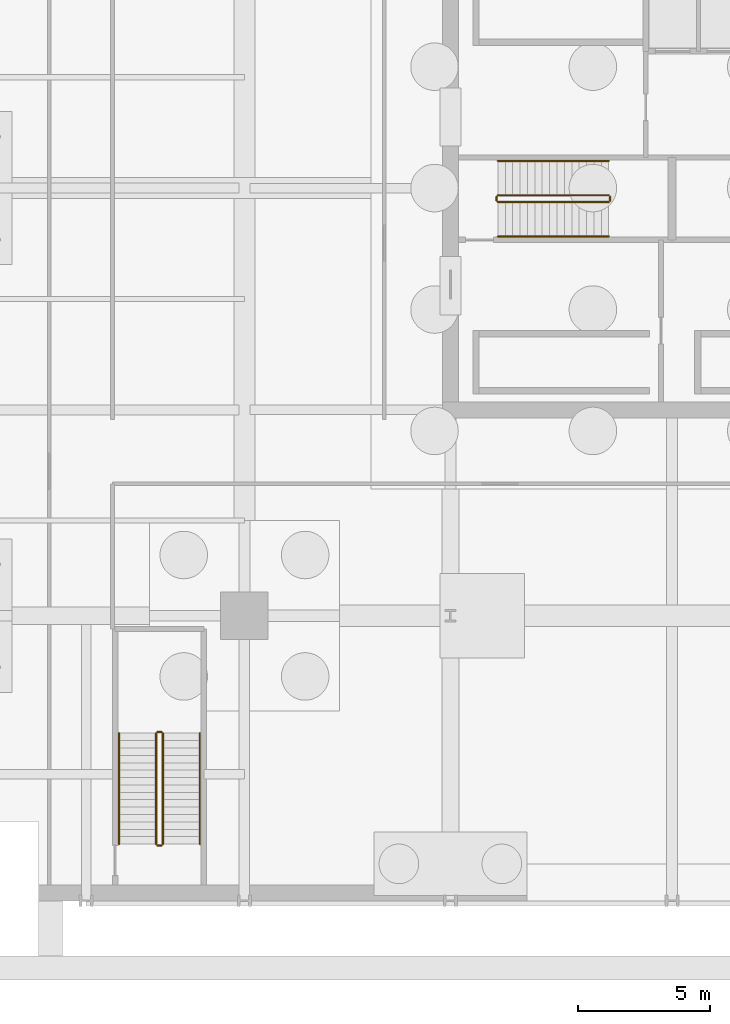
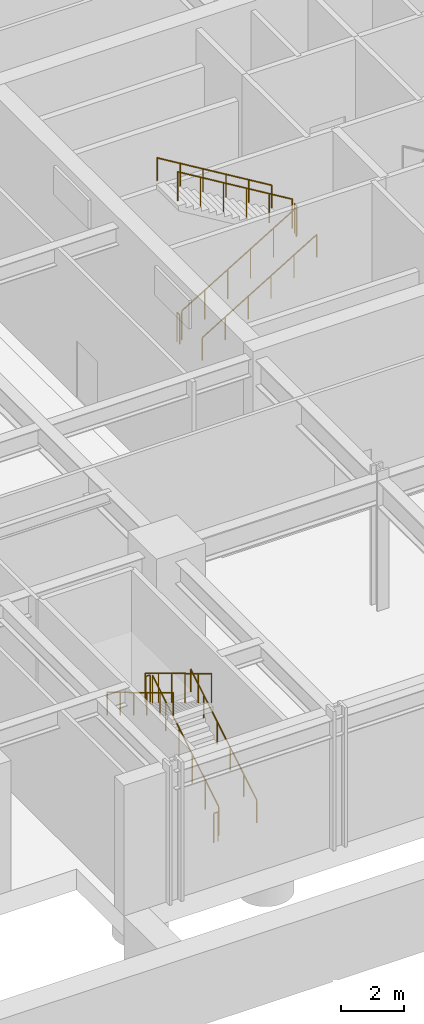
# One storey, part 6 of 9: 12 railings.
"""IFC4 building model written with IfcOpenShell, lengths in metres."""

from ifc_helpers import new_model, si_unit, direction, frame, origin, origin_2d, place, context, subcontext, project, spatial, circle, extrude, material, type_object, element, save


model = new_model("IFC4")

# Units and contexts
model_context = context("Model", 3, precision=1e-05, world=origin(), true_north=direction((0.0, 1.0)))
body_context = subcontext(model_context, "Body", "Model", "MODEL_VIEW")
ifc_project = project(units=[si_unit("LENGTHUNIT", "METRE"), si_unit("AREAUNIT", "SQUARE_METRE"), si_unit("VOLUMEUNIT", "CUBIC_METRE"), si_unit("PLANEANGLEUNIT", "RADIAN"), si_unit("MASSUNIT", "GRAM", prefix="KILO")], contexts=[model_context])

# Site, building, storey
site_placement = place(None, origin())
site = spatial("IfcSite", under=ifc_project, at=site_placement, CompositionType="ELEMENT")
building_placement = place(site_placement, origin())
building = spatial("IfcBuilding", under=site, at=building_placement, Name="Drelvath Grand Hotel", CompositionType="ELEMENT")
storey_placement = place(building_placement, frame((0.0, 0.0, -10.800048828125)))
storey = spatial("IfcBuildingStorey", under=building, at=storey_placement, Name="B2", CompositionType="ELEMENT", Elevation=-10.800048828125)

# Railings
ifc_material = material(Name="Painted Steel S275", Category="steel")
railing_type_1 = type_object("IfcRailingType", Name="Core Stair Wall Handrail 900", PredefinedType="HANDRAIL", material=ifc_material)
railing_1_placement = place(storey_placement, frame((-6.60009765625, 25.169921875, 0.168701171875)))
element("IfcRailing", 1, at=railing_1_placement, inside=storey, type_object=railing_type_1, Name="B2 ST-1 stair handrail 1", PredefinedType="HANDRAIL", context=body_context, shape_type="SweptSolid", body=[
    extrude(circle(Radius=0.02392578125, at=origin_2d()), frame((0.0, 0.0, 0.8759765625), z_axis=(0.856489757249, 0.0, 0.516164020179), x_axis=(0.0, 1.0, 0.0)), (0.0, 0.0, 1.0), 4.904052734375),
    extrude(circle(Radius=0.02099609375, at=origin_2d()), origin(), (0.0, 0.0, 1.0), 0.851806640625),
    extrude(circle(Radius=0.02099609375, at=origin_2d()), frame((0.840087890625, 0.0, 0.50634765625)), (0.0, 0.0, 1.0), 0.851806640625),
    extrude(circle(Radius=0.02099609375, at=origin_2d()), frame((1.68017578125, 0.0, 1.012451171875)), (0.0, 0.0, 1.0), 0.851806640625),
    extrude(circle(Radius=0.02099609375, at=origin_2d()), frame((2.52001953125, 0.0, 1.518798828125)), (0.0, 0.0, 1.0), 0.851806640625),
    extrude(circle(Radius=0.02099609375, at=origin_2d()), frame((3.360107421875, 0.0, 2.02490234375)), (0.0, 0.0, 1.0), 0.851806640625),
    extrude(circle(Radius=0.02099609375, at=origin_2d()), frame((4.2001953125, 0.0, 2.53125)), (0.0, 0.0, 1.0), 0.851806640625),
])
railing_2_placement = place(storey_placement, frame((-2.39990234375, 28.030029296875, 2.868896484375)))
element("IfcRailing", 2, at=railing_2_placement, inside=storey, type_object=railing_type_1, Name="B2 ST-1 stair handrail 2", PredefinedType="HANDRAIL", context=body_context, shape_type="SweptSolid", body=[
    extrude(circle(Radius=0.02392578125, at=origin_2d()), frame((0.0, 0.0, 0.8759765625), z_axis=(-0.856489757249, 0.0, 0.516164020179), x_axis=(0.0, -1.0, 0.0)), (0.0, 0.0, 1.0), 4.904052734375),
    extrude(circle(Radius=0.02099609375, at=origin_2d()), origin(), (0.0, 0.0, 1.0), 0.851806640625),
    extrude(circle(Radius=0.02099609375, at=origin_2d()), frame((-0.840087890625, 0.0, 0.50634765625)), (0.0, 0.0, 1.0), 0.851806640625),
    extrude(circle(Radius=0.02099609375, at=origin_2d()), frame((-1.68017578125, 0.0, 1.012451171875)), (0.0, 0.0, 1.0), 0.851806640625),
    extrude(circle(Radius=0.02099609375, at=origin_2d()), frame((-2.52001953125, 0.0, 1.518798828125)), (0.0, 0.0, 1.0), 0.851806640625),
    extrude(circle(Radius=0.02099609375, at=origin_2d()), frame((-3.360107421875, 0.0, 2.02490234375)), (0.0, 0.0, 1.0), 0.851806640625),
    extrude(circle(Radius=0.02099609375, at=origin_2d()), frame((-4.2001953125, 0.0, 2.53125)), (0.0, 0.0, 1.0), 0.851806640625),
])
railing_3_placement = place(storey_placement, frame((-17.889892578125, 2.14990234375, 0.168701171875)))
element("IfcRailing", 3, at=railing_3_placement, inside=storey, type_object=railing_type_1, Name="B2 ST-3 stair handrail 1", PredefinedType="HANDRAIL", context=body_context, shape_type="SweptSolid", body=[
    extrude(circle(Radius=0.02392578125, at=origin_2d()), frame((0.0, 0.0, 0.8759765625), z_axis=(0.0, 0.856489757249, 0.516164020179), x_axis=(-1.0, 0.0, 0.0)), (0.0, 0.0, 1.0), 4.904052734375),
    extrude(circle(Radius=0.02099609375, at=origin_2d()), origin(), (0.0, 0.0, 1.0), 0.851806640625),
    extrude(circle(Radius=0.02099609375, at=origin_2d()), frame((0.0, 0.840087890625, 0.50634765625)), (0.0, 0.0, 1.0), 0.851806640625),
    extrude(circle(Radius=0.02099609375, at=origin_2d()), frame((0.0, 1.68017578125, 1.012451171875)), (0.0, 0.0, 1.0), 0.851806640625),
    extrude(circle(Radius=0.02099609375, at=origin_2d()), frame((0.0, 2.52001953125, 1.518798828125)), (0.0, 0.0, 1.0), 0.851806640625),
    extrude(circle(Radius=0.02099609375, at=origin_2d()), frame((0.0, 3.360107421875, 2.02490234375)), (0.0, 0.0, 1.0), 0.851806640625),
    extrude(circle(Radius=0.02099609375, at=origin_2d()), frame((0.0, 4.2001953125, 2.53125)), (0.0, 0.0, 1.0), 0.851806640625),
])
railing_4_placement = place(storey_placement, frame((-20.949951171875, 6.35009765625, 2.868896484375)))
element("IfcRailing", 4, at=railing_4_placement, inside=storey, type_object=railing_type_1, Name="B2 ST-3 stair handrail 2", PredefinedType="HANDRAIL", context=body_context, shape_type="SweptSolid", body=[
    extrude(circle(Radius=0.02392578125, at=origin_2d()), frame((0.0, 0.0, 0.8759765625), z_axis=(0.0, -0.856489757249, 0.516164020179), x_axis=(1.0, 0.0, 0.0)), (0.0, 0.0, 1.0), 4.904052734375),
    extrude(circle(Radius=0.02099609375, at=origin_2d()), origin(), (0.0, 0.0, 1.0), 0.851806640625),
    extrude(circle(Radius=0.02099609375, at=origin_2d()), frame((0.0, -0.840087890625, 0.50634765625)), (0.0, 0.0, 1.0), 0.851806640625),
    extrude(circle(Radius=0.02099609375, at=origin_2d()), frame((0.0, -1.68017578125, 1.012451171875)), (0.0, 0.0, 1.0), 0.851806640625),
    extrude(circle(Radius=0.02099609375, at=origin_2d()), frame((0.0, -2.52001953125, 1.518798828125)), (0.0, 0.0, 1.0), 0.851806640625),
    extrude(circle(Radius=0.02099609375, at=origin_2d()), frame((0.0, -3.360107421875, 2.02490234375)), (0.0, 0.0, 1.0), 0.851806640625),
    extrude(circle(Radius=0.02099609375, at=origin_2d()), frame((0.0, -4.2001953125, 2.53125)), (0.0, 0.0, 1.0), 0.851806640625),
])
railing_type_2 = type_object("IfcRailingType", Name="Core Stair Well Guardrail 1100", PredefinedType="GUARDRAIL", material=ifc_material)
railing_5_placement = place(storey_placement, frame((-6.60009765625, 26.469970703125, 0.168701171875)))
element("IfcRailing", 5, at=railing_5_placement, inside=storey, type_object=railing_type_2, Name="B2 ST-1 stair guard 1", PredefinedType="GUARDRAIL", context=body_context, shape_type="SweptSolid", body=[
    extrude(circle(Radius=0.02392578125, at=origin_2d()), frame((0.0, 0.0, 1.1259765625), z_axis=(0.856489757249, 0.0, 0.516164020179), x_axis=(0.0, 1.0, 0.0)), (0.0, 0.0, 1.0), 4.904052734375),
    extrude(circle(Radius=0.02099609375, at=origin_2d()), origin(), (0.0, 0.0, 1.0), 1.101806640625),
    extrude(circle(Radius=0.02099609375, at=origin_2d()), frame((0.840087890625, 0.0, 0.50634765625)), (0.0, 0.0, 1.0), 1.101806640625),
    extrude(circle(Radius=0.02099609375, at=origin_2d()), frame((1.68017578125, 0.0, 1.012451171875)), (0.0, 0.0, 1.0), 1.101806640625),
    extrude(circle(Radius=0.02099609375, at=origin_2d()), frame((2.52001953125, 0.0, 1.518798828125)), (0.0, 0.0, 1.0), 1.101806640625),
    extrude(circle(Radius=0.02099609375, at=origin_2d()), frame((3.360107421875, 0.0, 2.02490234375)), (0.0, 0.0, 1.0), 1.101806640625),
    extrude(circle(Radius=0.02099609375, at=origin_2d()), frame((4.2001953125, 0.0, 2.53125)), (0.0, 0.0, 1.0), 1.101806640625),
])
railing_6_placement = place(storey_placement, frame((-2.35009765625, 26.52001953125, 2.699951171875)))
element("IfcRailing", 6, at=railing_6_placement, inside=storey, type_object=railing_type_2, Name="B2 ST-1 stair guard 2", PredefinedType="GUARDRAIL", context=body_context, shape_type="SweptSolid", body=[
    extrude(circle(Radius=0.02392578125, at=origin_2d()), frame((0.0, 0.0, 1.1259765625), z_axis=(0.0, 1.0, 0.0), x_axis=(-1.0, 0.0, 0.0)), (0.0, 0.0, 1.0), 0.159912109375),
    extrude(circle(Radius=0.02099609375, at=origin_2d()), origin(), (0.0, 0.0, 1.0), 1.101806640625),
    extrude(circle(Radius=0.02099609375, at=origin_2d()), frame((0.0, 0.159912109375, 0.0)), (0.0, 0.0, 1.0), 1.101806640625),
])
railing_7_placement = place(storey_placement, frame((-2.39990234375, 26.72998046875, 2.868896484375)))
element("IfcRailing", 7, at=railing_7_placement, inside=storey, type_object=railing_type_2, Name="B2 ST-1 stair guard 3", PredefinedType="GUARDRAIL", context=body_context, shape_type="SweptSolid", body=[
    extrude(circle(Radius=0.02392578125, at=origin_2d()), frame((0.0, 0.0, 1.1259765625), z_axis=(-0.856489757249, 0.0, 0.516164020179), x_axis=(0.0, -1.0, 0.0)), (0.0, 0.0, 1.0), 4.904052734375),
    extrude(circle(Radius=0.02099609375, at=origin_2d()), origin(), (0.0, 0.0, 1.0), 1.101806640625),
    extrude(circle(Radius=0.02099609375, at=origin_2d()), frame((-0.840087890625, 0.0, 0.50634765625)), (0.0, 0.0, 1.0), 1.101806640625),
    extrude(circle(Radius=0.02099609375, at=origin_2d()), frame((-1.68017578125, 0.0, 1.012451171875)), (0.0, 0.0, 1.0), 1.101806640625),
    extrude(circle(Radius=0.02099609375, at=origin_2d()), frame((-2.52001953125, 0.0, 1.518798828125)), (0.0, 0.0, 1.0), 1.101806640625),
    extrude(circle(Radius=0.02099609375, at=origin_2d()), frame((-3.360107421875, 0.0, 2.02490234375)), (0.0, 0.0, 1.0), 1.101806640625),
    extrude(circle(Radius=0.02099609375, at=origin_2d()), frame((-4.2001953125, 0.0, 2.53125)), (0.0, 0.0, 1.0), 1.101806640625),
])
railing_8_placement = place(storey_placement, frame((-6.64990234375, 26.52001953125, 0.0)))
element("IfcRailing", 8, at=railing_8_placement, inside=storey, type_object=railing_type_2, Name="B2 ST-1 stair guard 4", PredefinedType="GUARDRAIL", context=body_context, shape_type="SweptSolid", body=[
    extrude(circle(Radius=0.02392578125, at=origin_2d()), frame((0.0, 0.0, 1.1259765625), z_axis=(0.0, 1.0, 0.0), x_axis=(-1.0, 0.0, 0.0)), (0.0, 0.0, 1.0), 0.159912109375),
    extrude(circle(Radius=0.02099609375, at=origin_2d()), origin(), (0.0, 0.0, 1.0), 1.101806640625),
    extrude(circle(Radius=0.02099609375, at=origin_2d()), frame((0.0, 0.159912109375, 0.0)), (0.0, 0.0, 1.0), 1.101806640625),
])
railing_9_placement = place(storey_placement, frame((-19.2900390625, 2.14990234375, 0.168701171875)))
element("IfcRailing", 9, at=railing_9_placement, inside=storey, type_object=railing_type_2, Name="B2 ST-3 stair guard 1", PredefinedType="GUARDRAIL", context=body_context, shape_type="SweptSolid", body=[
    extrude(circle(Radius=0.02392578125, at=origin_2d()), frame((0.0, 0.0, 1.1259765625), z_axis=(0.0, 0.856489757249, 0.516164020179), x_axis=(-1.0, 0.0, 0.0)), (0.0, 0.0, 1.0), 4.904052734375),
    extrude(circle(Radius=0.02099609375, at=origin_2d()), origin(), (0.0, 0.0, 1.0), 1.101806640625),
    extrude(circle(Radius=0.02099609375, at=origin_2d()), frame((0.0, 0.840087890625, 0.50634765625)), (0.0, 0.0, 1.0), 1.101806640625),
    extrude(circle(Radius=0.02099609375, at=origin_2d()), frame((0.0, 1.68017578125, 1.012451171875)), (0.0, 0.0, 1.0), 1.101806640625),
    extrude(circle(Radius=0.02099609375, at=origin_2d()), frame((0.0, 2.52001953125, 1.518798828125)), (0.0, 0.0, 1.0), 1.101806640625),
    extrude(circle(Radius=0.02099609375, at=origin_2d()), frame((0.0, 3.360107421875, 2.02490234375)), (0.0, 0.0, 1.0), 1.101806640625),
    extrude(circle(Radius=0.02099609375, at=origin_2d()), frame((0.0, 4.2001953125, 2.53125)), (0.0, 0.0, 1.0), 1.101806640625),
])
railing_10_placement = place(storey_placement, frame((-19.340087890625, 6.39990234375, 2.699951171875)))
element("IfcRailing", 10, at=railing_10_placement, inside=storey, type_object=railing_type_2, Name="B2 ST-3 stair guard 2", PredefinedType="GUARDRAIL", context=body_context, shape_type="SweptSolid", body=[
    extrude(circle(Radius=0.02392578125, at=origin_2d()), frame((0.0, 0.0, 1.1259765625), z_axis=(-1.0, 0.0, 0.0), x_axis=(0.0, -1.0, 0.0)), (0.0, 0.0, 1.0), 0.159912109375),
    extrude(circle(Radius=0.02099609375, at=origin_2d()), origin(), (0.0, 0.0, 1.0), 1.101806640625),
    extrude(circle(Radius=0.02099609375, at=origin_2d()), frame((-0.159912109375, 0.0, 0.0)), (0.0, 0.0, 1.0), 1.101806640625),
])
railing_11_placement = place(storey_placement, frame((-19.550048828125, 6.35009765625, 2.868896484375)))
element("IfcRailing", 11, at=railing_11_placement, inside=storey, type_object=railing_type_2, Name="B2 ST-3 stair guard 3", PredefinedType="GUARDRAIL", context=body_context, shape_type="SweptSolid", body=[
    extrude(circle(Radius=0.02392578125, at=origin_2d()), frame((0.0, 0.0, 1.1259765625), z_axis=(0.0, -0.856489757249, 0.516164020179), x_axis=(1.0, 0.0, 0.0)), (0.0, 0.0, 1.0), 4.904052734375),
    extrude(circle(Radius=0.02099609375, at=origin_2d()), origin(), (0.0, 0.0, 1.0), 1.101806640625),
    extrude(circle(Radius=0.02099609375, at=origin_2d()), frame((0.0, -0.840087890625, 0.50634765625)), (0.0, 0.0, 1.0), 1.101806640625),
    extrude(circle(Radius=0.02099609375, at=origin_2d()), frame((0.0, -1.68017578125, 1.012451171875)), (0.0, 0.0, 1.0), 1.101806640625),
    extrude(circle(Radius=0.02099609375, at=origin_2d()), frame((0.0, -2.52001953125, 1.518798828125)), (0.0, 0.0, 1.0), 1.101806640625),
    extrude(circle(Radius=0.02099609375, at=origin_2d()), frame((0.0, -3.360107421875, 2.02490234375)), (0.0, 0.0, 1.0), 1.101806640625),
    extrude(circle(Radius=0.02099609375, at=origin_2d()), frame((0.0, -4.2001953125, 2.53125)), (0.0, 0.0, 1.0), 1.101806640625),
])
railing_12_placement = place(storey_placement, frame((-19.340087890625, 2.10009765625, 0.0)))
element("IfcRailing", 12, at=railing_12_placement, inside=storey, type_object=railing_type_2, Name="B2 ST-3 stair guard 4", PredefinedType="GUARDRAIL", context=body_context, shape_type="SweptSolid", body=[
    extrude(circle(Radius=0.02392578125, at=origin_2d()), frame((0.0, 0.0, 1.1259765625), z_axis=(-1.0, 0.0, 0.0), x_axis=(0.0, -1.0, 0.0)), (0.0, 0.0, 1.0), 0.159912109375),
    extrude(circle(Radius=0.02099609375, at=origin_2d()), origin(), (0.0, 0.0, 1.0), 1.101806640625),
    extrude(circle(Radius=0.02099609375, at=origin_2d()), frame((-0.159912109375, 0.0, 0.0)), (0.0, 0.0, 1.0), 1.101806640625),
])

save(model, "model.ifc")
